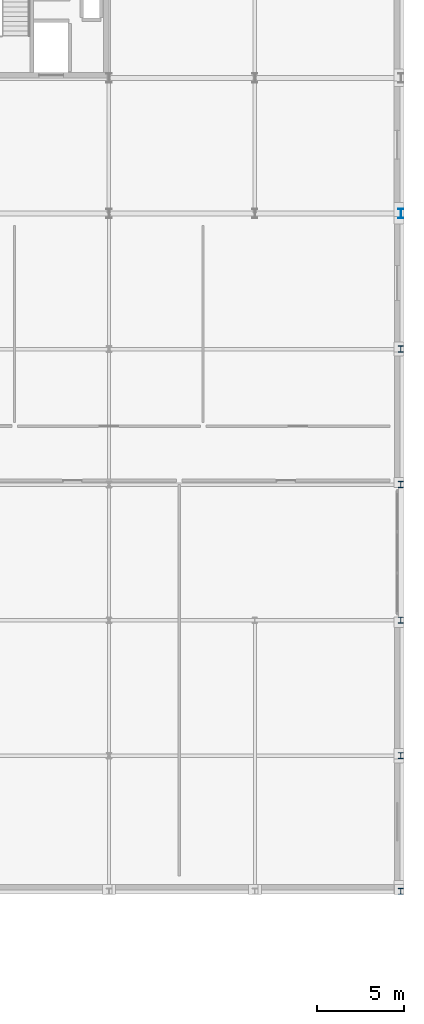
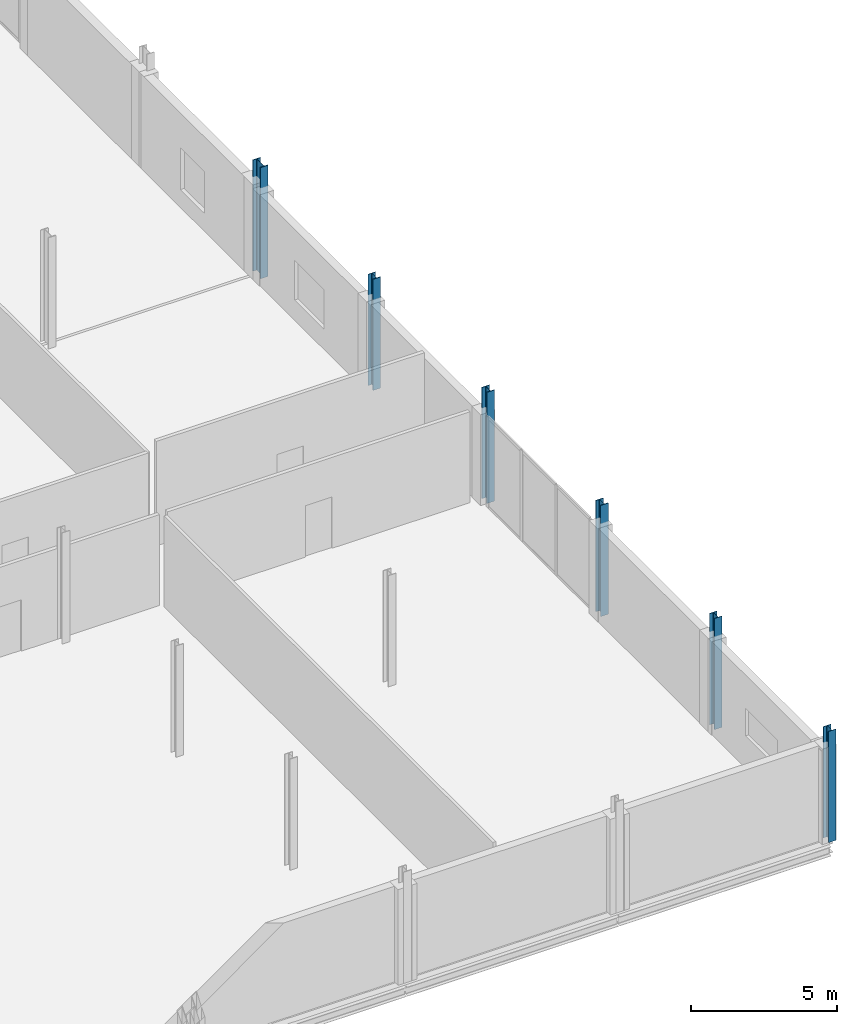
# One storey, part 14 of 98: 6 columns.
"""IFC4 building model written with IfcOpenShell, lengths in metres."""

from ifc_helpers import new_model, si_unit, direction, frame, origin, origin_2d, place, context, subcontext, project, spatial, i_section, extrude, material, material_profile, profile_set, type_object, element, save


model = new_model("IFC4")

# Units and contexts
model_context = context("Model", 3, precision=1e-05, world=origin(), true_north=direction((0.0, 1.0)))
body_context = subcontext(model_context, "Body", "Model", "MODEL_VIEW")
ifc_project = project(units=[si_unit("LENGTHUNIT", "METRE"), si_unit("AREAUNIT", "SQUARE_METRE"), si_unit("VOLUMEUNIT", "CUBIC_METRE"), si_unit("PLANEANGLEUNIT", "RADIAN"), si_unit("MASSUNIT", "GRAM", prefix="KILO")], contexts=[model_context])

# Site, building, storey
site_placement = place(None, origin())
site = spatial("IfcSite", under=ifc_project, at=site_placement, CompositionType="ELEMENT")
building_placement = place(site_placement, origin())
building = spatial("IfcBuilding", under=site, at=building_placement, Name="Nabrawat Pavilion Hospital", CompositionType="ELEMENT")
storey_placement = place(building_placement, frame((0.0, 0.0, 10.199951171875)))
storey = spatial("IfcBuildingStorey", under=building, at=storey_placement, Name="L02", CompositionType="ELEMENT", Elevation=10.199951171875)

# Columns
ifc_material = material(Name="Steel S355", Category="steel")
ifc_material_profile_1 = material_profile(ifc_material, i_section(OverallWidth=0.300048828125, OverallDepth=0.550048828125, WebThickness=0.014892578125, FlangeThickness=0.029052734375, FilletRadius=0.027099609375, at=origin_2d()), Name="HEB 550")
ifc_profile_set_1 = profile_set([ifc_material_profile_1], Name="Steel S355")
column_type_1 = type_object("IfcColumnType", Name="Composite Steel Column HEB 550", PredefinedType="COLUMN", material=ifc_profile_set_1)
column_placement = place(storey_placement, frame((193.199951171875, 39.0, 0.0), z_axis=(0.0, 0.0, 1.0), x_axis=(1.0, 0.0, 0.0)))
element("IfcColumn", 1, at=column_placement, inside=storey, type_object=column_type_1, Name="L02 Structural Column G-24-F1", PredefinedType="COLUMN", context=body_context, shape_type="SweptSolid", body=[
    extrude(i_section(OverallWidth=0.300048828125, OverallDepth=0.550048828125, WebThickness=0.014892578125, FlangeThickness=0.029052734375, FilletRadius=0.027099609375, at=origin_2d()), origin(), (0.0, 0.0, 1.0), 4.650146484375),
])
ifc_material_profile_2 = material_profile(ifc_material, i_section(OverallWidth=0.300048828125, OverallDepth=0.360107421875, WebThickness=0.012451171875, FlangeThickness=0.0224609375, FilletRadius=0.027099609375, at=origin_2d()), Name="HEB 360")
ifc_profile_set_2 = profile_set([ifc_material_profile_2], Name="Steel S355")
column_type_2 = type_object("IfcColumnType", Name="Upper Steel Column HEB 360", PredefinedType="COLUMN", material=ifc_profile_set_2)
for number, where, z_axis, x_axis, name in (
    (2, (193.199951171875, 0.0, 0.0), (0.0, 0.0, 1.0), (1.0, 0.0, 0.0), "L02 Structural Column G-24-A"),
    (3, (193.199951171875, 7.800048828125, 0.0), (0.0, 0.0, 1.0), (1.0, 0.0, 0.0), "L02 Structural Column G-24-B"),
    (4, (193.199951171875, 15.60009765625, 0.0), (0.0, 0.0, 1.0), (1.0, 0.0, 0.0), "L02 Structural Column G-24-C"),
    (5, (193.199951171875, 23.39990234375, 0.0), (0.0, 0.0, 1.0), (1.0, 0.0, 0.0), "L02 Structural Column G-24-D"),
    (6, (193.199951171875, 31.199951171875, 0.0), (0.0, 0.0, 1.0), (1.0, 0.0, 0.0), "L02 Structural Column G-24-E"),
):
    element("IfcColumn", number, at=place(storey_placement, frame(where, z_axis=z_axis, x_axis=x_axis)), inside=storey, type_object=column_type_2, Name=name, PredefinedType="COLUMN", context=body_context, shape_type="SweptSolid", body=[
        extrude(i_section(OverallWidth=0.300048828125, OverallDepth=0.360107421875, WebThickness=0.012451171875, FlangeThickness=0.0224609375, FilletRadius=0.027099609375, at=origin_2d()), origin(), (0.0, 0.0, 1.0), 4.650146484375),
    ])

save(model, "model.ifc")
